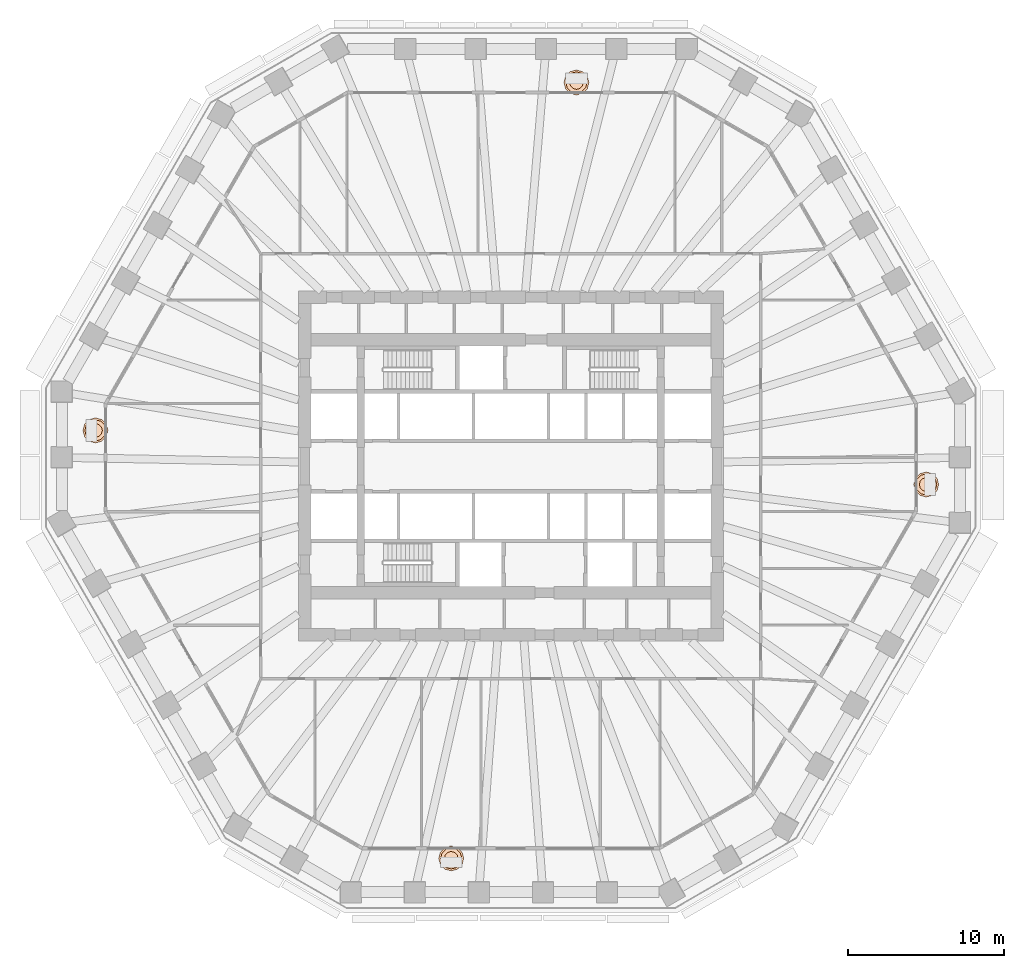
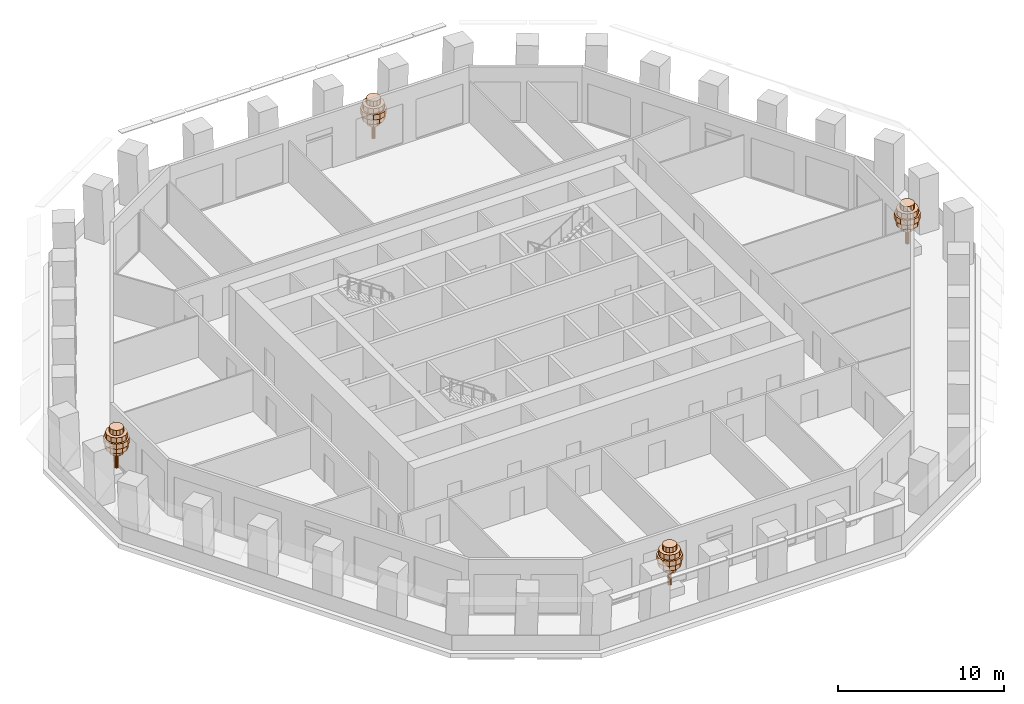
# One storey, part 13 of 13: 4 geographic elements.
"""IFC4 building model written with IfcOpenShell, lengths in metres."""

from ifc_helpers import new_model, si_unit, direction, frame, origin, place, context, subcontext, project, spatial, polyline, outline, extrude, material, type_object, element, save


model = new_model("IFC4")

# Units and contexts
model_context = context("Model", 3, precision=1e-05, world=origin(), true_north=direction((0.0, 1.0)))
body_context = subcontext(model_context, "Body", "Model", "MODEL_VIEW")
ifc_project = project(units=[si_unit("LENGTHUNIT", "METRE"), si_unit("AREAUNIT", "SQUARE_METRE"), si_unit("VOLUMEUNIT", "CUBIC_METRE"), si_unit("PLANEANGLEUNIT", "RADIAN"), si_unit("MASSUNIT", "GRAM", prefix="KILO")], contexts=[model_context])

# Site, building, storey
site_placement = place(None, origin())
site = spatial("IfcSite", under=ifc_project, at=site_placement, CompositionType="ELEMENT")
building_placement = place(site_placement, origin())
building = spatial("IfcBuilding", under=site, at=building_placement, Name="Frailejon Research Tower", CompositionType="ELEMENT")
storey_placement = place(building_placement, frame((0.0, 0.0, 98.39990234375)))
storey = spatial("IfcBuildingStorey", under=building, at=storey_placement, Name="L21", CompositionType="ELEMENT", Elevation=98.39990234375)

# Geographic elements
ifc_material = material(Name="Foliage, green")
geographic_element_type = type_object("IfcGeographicElementType", Name="Frailejon tree, loggia", PredefinedType="USERDEFINED", material=ifc_material)
geographic_element_1_placement = place(storey_placement, frame((26.58203125, -1.178955078125, 0.60009765625)))
element("IfcGeographicElement", 1, at=geographic_element_1_placement, inside=storey, type_object=geographic_element_type, Name="Tree L21", ObjectType="TREE", PredefinedType="USERDEFINED", context=body_context, shape_type="SweptSolid", body=[
    extrude(outline(polyline([(0.1298828125, 0.0), (0.112548828125, 0.06494140625), (0.06494140625, 0.112548828125), (0.0, 0.1298828125), (-0.06494140625, 0.112548828125), (-0.112548828125, 0.06494140625), (-0.1298828125, 0.0), (-0.112548828125, -0.06494140625), (-0.06494140625, -0.112548828125), (0.0, -0.1298828125), (0.06494140625, -0.112548828125), (0.112548828125, -0.06494140625), (0.1298828125, 0.0)])), origin(), (0.0, 0.0, 1.0), 2.239990234375),
    extrude(outline(polyline([(0.43994140625, 0.0), (0.381103515625, 0.219970703125), (0.219970703125, 0.381103515625), (0.0, 0.43994140625), (-0.219970703125, 0.381103515625), (-0.381103515625, 0.219970703125), (-0.43994140625, 0.0), (-0.381103515625, -0.219970703125), (-0.219970703125, -0.381103515625), (0.0, -0.43994140625), (0.219970703125, -0.381103515625), (0.381103515625, -0.219970703125), (0.43994140625, 0.0)])), frame((0.0, 0.0, 1.10009765625)), (0.0, 0.0, 1.0), 0.3798828125),
    extrude(outline(polyline([(0.719970703125, 0.0), (0.62353515625, 0.360107421875), (0.360107421875, 0.62353515625), (0.0, 0.719970703125), (-0.360107421875, 0.62353515625), (-0.62353515625, 0.360107421875), (-0.719970703125, 0.0), (-0.62353515625, -0.360107421875), (-0.360107421875, -0.62353515625), (0.0, -0.719970703125), (0.360107421875, -0.62353515625), (0.62353515625, -0.360107421875), (0.719970703125, 0.0)])), frame((0.0, 0.0, 1.47998046875)), (0.0, 0.0, 1.0), 0.3798828125),
    extrude(outline(polyline([(0.800048828125, 0.0), (0.69287109375, 0.39990234375), (0.39990234375, 0.69287109375), (0.0, 0.800048828125), (-0.39990234375, 0.69287109375), (-0.69287109375, 0.39990234375), (-0.800048828125, 0.0), (-0.69287109375, -0.39990234375), (-0.39990234375, -0.69287109375), (0.0, -0.800048828125), (0.39990234375, -0.69287109375), (0.69287109375, -0.39990234375), (0.800048828125, 0.0)])), frame((0.0, 0.0, 1.860107421875)), (0.0, 0.0, 1.0), 0.3798828125),
    extrude(outline(polyline([(0.679931640625, 0.0), (0.5888671875, 0.340087890625), (0.340087890625, 0.5888671875), (0.0, 0.679931640625), (-0.340087890625, 0.5888671875), (-0.5888671875, 0.340087890625), (-0.679931640625, 0.0), (-0.5888671875, -0.340087890625), (-0.340087890625, -0.5888671875), (0.0, -0.679931640625), (0.340087890625, -0.5888671875), (0.5888671875, -0.340087890625), (0.679931640625, 0.0)])), frame((0.0, 0.0, 2.239990234375)), (0.0, 0.0, 1.0), 0.3798828125),
    extrude(outline(polyline([(0.43994140625, 0.0), (0.381103515625, 0.219970703125), (0.219970703125, 0.381103515625), (0.0, 0.43994140625), (-0.219970703125, 0.381103515625), (-0.381103515625, 0.219970703125), (-0.43994140625, 0.0), (-0.381103515625, -0.219970703125), (-0.219970703125, -0.381103515625), (0.0, -0.43994140625), (0.219970703125, -0.381103515625), (0.381103515625, -0.219970703125), (0.43994140625, 0.0)])), frame((0.0, 0.0, 2.6201171875)), (0.0, 0.0, 1.0), 0.3798828125),
])
geographic_element_2_placement = place(storey_placement, frame((4.197998046875, 24.550048828125, 0.60009765625)))
element("IfcGeographicElement", 2, at=geographic_element_2_placement, inside=storey, type_object=geographic_element_type, Name="Tree L21", ObjectType="TREE", PredefinedType="USERDEFINED", context=body_context, shape_type="SweptSolid", body=[
    extrude(outline(polyline([(0.1298828125, 0.0), (0.112548828125, 0.06494140625), (0.06494140625, 0.112548828125), (0.0, 0.1298828125), (-0.06494140625, 0.112548828125), (-0.112548828125, 0.06494140625), (-0.1298828125, 0.0), (-0.112548828125, -0.06494140625), (-0.06494140625, -0.112548828125), (0.0, -0.1298828125), (0.06494140625, -0.112548828125), (0.112548828125, -0.06494140625), (0.1298828125, 0.0)])), origin(), (0.0, 0.0, 1.0), 2.239990234375),
    extrude(outline(polyline([(0.43994140625, 0.0), (0.381103515625, 0.219970703125), (0.219970703125, 0.381103515625), (0.0, 0.43994140625), (-0.219970703125, 0.381103515625), (-0.381103515625, 0.219970703125), (-0.43994140625, 0.0), (-0.381103515625, -0.219970703125), (-0.219970703125, -0.381103515625), (0.0, -0.43994140625), (0.219970703125, -0.381103515625), (0.381103515625, -0.219970703125), (0.43994140625, 0.0)])), frame((0.0, 0.0, 1.10009765625)), (0.0, 0.0, 1.0), 0.3798828125),
    extrude(outline(polyline([(0.719970703125, 0.0), (0.62353515625, 0.360107421875), (0.360107421875, 0.62353515625), (0.0, 0.719970703125), (-0.360107421875, 0.62353515625), (-0.62353515625, 0.360107421875), (-0.719970703125, 0.0), (-0.62353515625, -0.360107421875), (-0.360107421875, -0.62353515625), (0.0, -0.719970703125), (0.360107421875, -0.62353515625), (0.62353515625, -0.360107421875), (0.719970703125, 0.0)])), frame((0.0, 0.0, 1.47998046875)), (0.0, 0.0, 1.0), 0.3798828125),
    extrude(outline(polyline([(0.800048828125, 0.0), (0.69287109375, 0.39990234375), (0.39990234375, 0.69287109375), (0.0, 0.800048828125), (-0.39990234375, 0.69287109375), (-0.69287109375, 0.39990234375), (-0.800048828125, 0.0), (-0.69287109375, -0.39990234375), (-0.39990234375, -0.69287109375), (0.0, -0.800048828125), (0.39990234375, -0.69287109375), (0.69287109375, -0.39990234375), (0.800048828125, 0.0)])), frame((0.0, 0.0, 1.860107421875)), (0.0, 0.0, 1.0), 0.3798828125),
    extrude(outline(polyline([(0.679931640625, 0.0), (0.5888671875, 0.340087890625), (0.340087890625, 0.5888671875), (0.0, 0.679931640625), (-0.340087890625, 0.5888671875), (-0.5888671875, 0.340087890625), (-0.679931640625, 0.0), (-0.5888671875, -0.340087890625), (-0.340087890625, -0.5888671875), (0.0, -0.679931640625), (0.340087890625, -0.5888671875), (0.5888671875, -0.340087890625), (0.679931640625, 0.0)])), frame((0.0, 0.0, 2.239990234375)), (0.0, 0.0, 1.0), 0.3798828125),
    extrude(outline(polyline([(0.43994140625, 0.0), (0.381103515625, 0.219970703125), (0.219970703125, 0.381103515625), (0.0, 0.43994140625), (-0.219970703125, 0.381103515625), (-0.381103515625, 0.219970703125), (-0.43994140625, 0.0), (-0.381103515625, -0.219970703125), (-0.219970703125, -0.381103515625), (0.0, -0.43994140625), (0.219970703125, -0.381103515625), (0.381103515625, -0.219970703125), (0.43994140625, 0.0)])), frame((0.0, 0.0, 2.6201171875)), (0.0, 0.0, 1.0), 0.3798828125),
])
geographic_element_3_placement = place(storey_placement, frame((-26.58203125, 2.28515625, 0.60009765625)))
element("IfcGeographicElement", 3, at=geographic_element_3_placement, inside=storey, type_object=geographic_element_type, Name="Tree L21", ObjectType="TREE", PredefinedType="USERDEFINED", context=body_context, shape_type="SweptSolid", body=[
    extrude(outline(polyline([(0.1298828125, 0.0), (0.112548828125, 0.06494140625), (0.06494140625, 0.112548828125), (0.0, 0.1298828125), (-0.06494140625, 0.112548828125), (-0.112548828125, 0.06494140625), (-0.1298828125, 0.0), (-0.112548828125, -0.06494140625), (-0.06494140625, -0.112548828125), (0.0, -0.1298828125), (0.06494140625, -0.112548828125), (0.112548828125, -0.06494140625), (0.1298828125, 0.0)])), origin(), (0.0, 0.0, 1.0), 2.239990234375),
    extrude(outline(polyline([(0.43994140625, 0.0), (0.381103515625, 0.219970703125), (0.219970703125, 0.381103515625), (0.0, 0.43994140625), (-0.219970703125, 0.381103515625), (-0.381103515625, 0.219970703125), (-0.43994140625, 0.0), (-0.381103515625, -0.219970703125), (-0.219970703125, -0.381103515625), (0.0, -0.43994140625), (0.219970703125, -0.381103515625), (0.381103515625, -0.219970703125), (0.43994140625, 0.0)])), frame((0.0, 0.0, 1.10009765625)), (0.0, 0.0, 1.0), 0.3798828125),
    extrude(outline(polyline([(0.719970703125, 0.0), (0.62353515625, 0.360107421875), (0.360107421875, 0.62353515625), (0.0, 0.719970703125), (-0.360107421875, 0.62353515625), (-0.62353515625, 0.360107421875), (-0.719970703125, 0.0), (-0.62353515625, -0.360107421875), (-0.360107421875, -0.62353515625), (0.0, -0.719970703125), (0.360107421875, -0.62353515625), (0.62353515625, -0.360107421875), (0.719970703125, 0.0)])), frame((0.0, 0.0, 1.47998046875)), (0.0, 0.0, 1.0), 0.3798828125),
    extrude(outline(polyline([(0.800048828125, 0.0), (0.69287109375, 0.39990234375), (0.39990234375, 0.69287109375), (0.0, 0.800048828125), (-0.39990234375, 0.69287109375), (-0.69287109375, 0.39990234375), (-0.800048828125, 0.0), (-0.69287109375, -0.39990234375), (-0.39990234375, -0.69287109375), (0.0, -0.800048828125), (0.39990234375, -0.69287109375), (0.69287109375, -0.39990234375), (0.800048828125, 0.0)])), frame((0.0, 0.0, 1.860107421875)), (0.0, 0.0, 1.0), 0.3798828125),
    extrude(outline(polyline([(0.679931640625, 0.0), (0.5888671875, 0.340087890625), (0.340087890625, 0.5888671875), (0.0, 0.679931640625), (-0.340087890625, 0.5888671875), (-0.5888671875, 0.340087890625), (-0.679931640625, 0.0), (-0.5888671875, -0.340087890625), (-0.340087890625, -0.5888671875), (0.0, -0.679931640625), (0.340087890625, -0.5888671875), (0.5888671875, -0.340087890625), (0.679931640625, 0.0)])), frame((0.0, 0.0, 2.239990234375)), (0.0, 0.0, 1.0), 0.3798828125),
    extrude(outline(polyline([(0.43994140625, 0.0), (0.381103515625, 0.219970703125), (0.219970703125, 0.381103515625), (0.0, 0.43994140625), (-0.219970703125, 0.381103515625), (-0.381103515625, 0.219970703125), (-0.43994140625, 0.0), (-0.381103515625, -0.219970703125), (-0.219970703125, -0.381103515625), (0.0, -0.43994140625), (0.219970703125, -0.381103515625), (0.381103515625, -0.219970703125), (0.43994140625, 0.0)])), frame((0.0, 0.0, 2.6201171875)), (0.0, 0.0, 1.0), 0.3798828125),
])
geographic_element_4_placement = place(storey_placement, frame((-3.814697265625, -25.10302734375, 0.60009765625)))
element("IfcGeographicElement", 4, at=geographic_element_4_placement, inside=storey, type_object=geographic_element_type, Name="Tree L21", ObjectType="TREE", PredefinedType="USERDEFINED", context=body_context, shape_type="SweptSolid", body=[
    extrude(outline(polyline([(0.1298828125, 0.0), (0.112548828125, 0.06494140625), (0.06494140625, 0.112548828125), (0.0, 0.1298828125), (-0.06494140625, 0.112548828125), (-0.112548828125, 0.06494140625), (-0.1298828125, 0.0), (-0.112548828125, -0.06494140625), (-0.06494140625, -0.112548828125), (0.0, -0.1298828125), (0.06494140625, -0.112548828125), (0.112548828125, -0.06494140625), (0.1298828125, 0.0)])), origin(), (0.0, 0.0, 1.0), 2.239990234375),
    extrude(outline(polyline([(0.43994140625, 0.0), (0.381103515625, 0.219970703125), (0.219970703125, 0.381103515625), (0.0, 0.43994140625), (-0.219970703125, 0.381103515625), (-0.381103515625, 0.219970703125), (-0.43994140625, 0.0), (-0.381103515625, -0.219970703125), (-0.219970703125, -0.381103515625), (0.0, -0.43994140625), (0.219970703125, -0.381103515625), (0.381103515625, -0.219970703125), (0.43994140625, 0.0)])), frame((0.0, 0.0, 1.10009765625)), (0.0, 0.0, 1.0), 0.3798828125),
    extrude(outline(polyline([(0.719970703125, 0.0), (0.62353515625, 0.360107421875), (0.360107421875, 0.62353515625), (0.0, 0.719970703125), (-0.360107421875, 0.62353515625), (-0.62353515625, 0.360107421875), (-0.719970703125, 0.0), (-0.62353515625, -0.360107421875), (-0.360107421875, -0.62353515625), (0.0, -0.719970703125), (0.360107421875, -0.62353515625), (0.62353515625, -0.360107421875), (0.719970703125, 0.0)])), frame((0.0, 0.0, 1.47998046875)), (0.0, 0.0, 1.0), 0.3798828125),
    extrude(outline(polyline([(0.800048828125, 0.0), (0.69287109375, 0.39990234375), (0.39990234375, 0.69287109375), (0.0, 0.800048828125), (-0.39990234375, 0.69287109375), (-0.69287109375, 0.39990234375), (-0.800048828125, 0.0), (-0.69287109375, -0.39990234375), (-0.39990234375, -0.69287109375), (0.0, -0.800048828125), (0.39990234375, -0.69287109375), (0.69287109375, -0.39990234375), (0.800048828125, 0.0)])), frame((0.0, 0.0, 1.860107421875)), (0.0, 0.0, 1.0), 0.3798828125),
    extrude(outline(polyline([(0.679931640625, 0.0), (0.5888671875, 0.340087890625), (0.340087890625, 0.5888671875), (0.0, 0.679931640625), (-0.340087890625, 0.5888671875), (-0.5888671875, 0.340087890625), (-0.679931640625, 0.0), (-0.5888671875, -0.340087890625), (-0.340087890625, -0.5888671875), (0.0, -0.679931640625), (0.340087890625, -0.5888671875), (0.5888671875, -0.340087890625), (0.679931640625, 0.0)])), frame((0.0, 0.0, 2.239990234375)), (0.0, 0.0, 1.0), 0.3798828125),
    extrude(outline(polyline([(0.43994140625, 0.0), (0.381103515625, 0.219970703125), (0.219970703125, 0.381103515625), (0.0, 0.43994140625), (-0.219970703125, 0.381103515625), (-0.381103515625, 0.219970703125), (-0.43994140625, 0.0), (-0.381103515625, -0.219970703125), (-0.219970703125, -0.381103515625), (0.0, -0.43994140625), (0.219970703125, -0.381103515625), (0.381103515625, -0.219970703125), (0.43994140625, 0.0)])), frame((0.0, 0.0, 2.6201171875)), (0.0, 0.0, 1.0), 0.3798828125),
])

save(model, "model.ifc")
